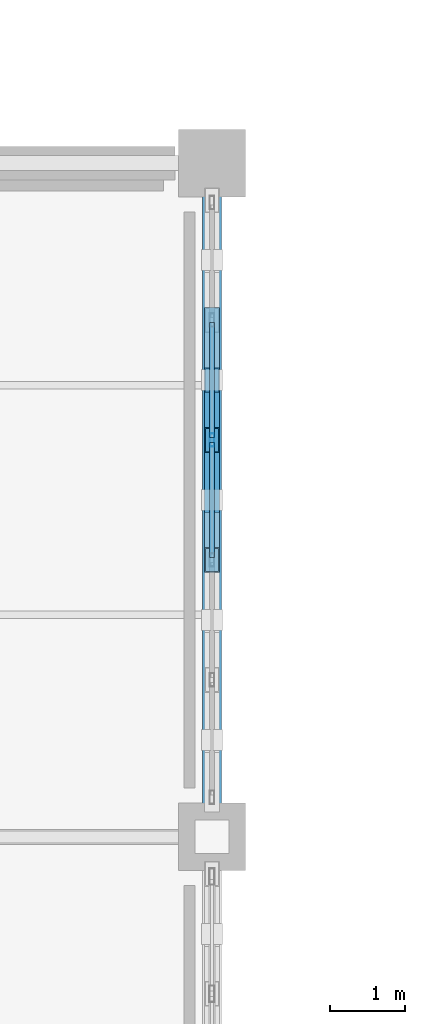
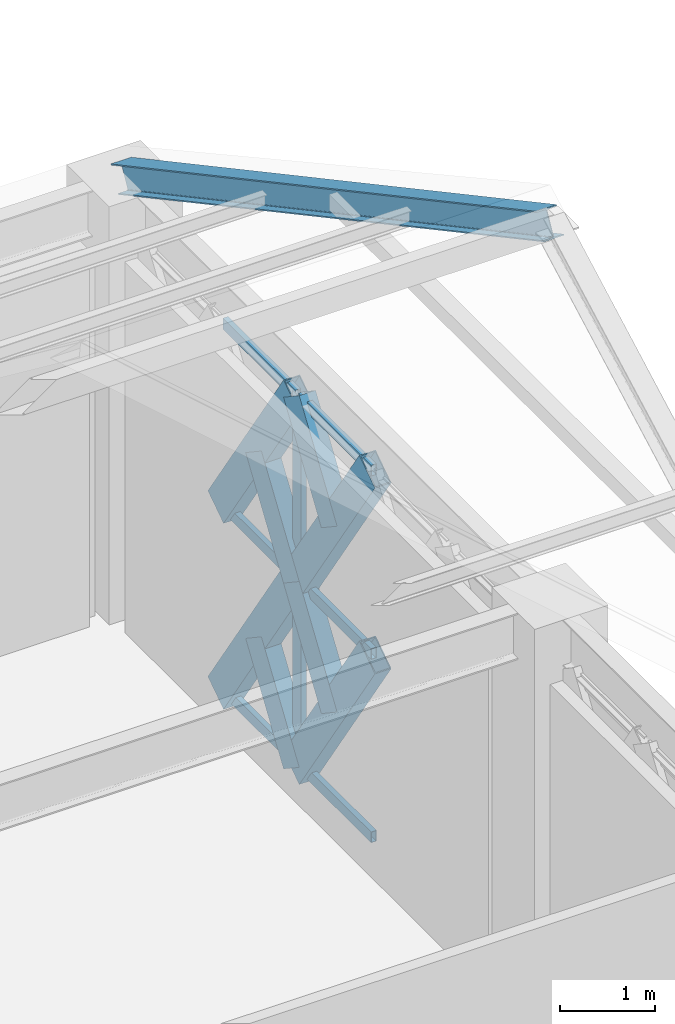
# One storey, part 67 of 166: 16 members, 1 element without a shape of its own.
"""IFC4 building model written with IfcOpenShell, lengths in metres."""

from ifc_helpers import new_model, si_unit, direction, frame, origin, origin_2d, place, context, subcontext, project, spatial, hollow_rectangle, i_section, extrude, material, material_profile, profile_set, type_object, element, aggregate, save


model = new_model("IFC4")

# Units and contexts
model_context = context("Model", 3, precision=1e-05, world=origin(), true_north=direction((0.0, 1.0)))
body_context = subcontext(model_context, "Body", "Model", "MODEL_VIEW")
ifc_project = project(units=[si_unit("LENGTHUNIT", "METRE"), si_unit("AREAUNIT", "SQUARE_METRE"), si_unit("VOLUMEUNIT", "CUBIC_METRE"), si_unit("PLANEANGLEUNIT", "RADIAN"), si_unit("MASSUNIT", "GRAM", prefix="KILO")], contexts=[model_context])

# Site, building, storey
site_placement = place(None, origin())
site = spatial("IfcSite", under=ifc_project, at=site_placement, CompositionType="ELEMENT")
building_placement = place(site_placement, origin())
building = spatial("IfcBuilding", under=site, at=building_placement, Name="Haizhuo Lancet Aquarium", CompositionType="ELEMENT")
storey_placement = place(building_placement, frame((0.0, 0.0, 5.39990234375)))
storey = spatial("IfcBuildingStorey", under=building, at=storey_placement, Name="L01", CompositionType="ELEMENT", Elevation=5.39990234375)

# Curtain wall, members
ifc_material_1 = material(Name="Aluminium 6063-T6", Category="aluminium")
curtain_wall_type = type_object("IfcCurtainWallType", Name="CWD-8010x4800", PredefinedType="NOTDEFINED", material=ifc_material_1)
curtain_wall_placement = place(storey_placement, origin())
curtain_wall = element("IfcCurtainWall", 1, at=curtain_wall_placement, inside=storey, type_object=curtain_wall_type, Name="L01 curtain wall CW-V2-L01-025", PredefinedType="NOTDEFINED")
ifc_material_profile_1 = material_profile(ifc_material_1, hollow_rectangle(XDim=0.06494140625, YDim=0.179931640625, WallThickness=0.00390625, at=origin_2d()), Name="ALU-M 65x180x4")
ifc_profile_set_1 = profile_set([ifc_material_profile_1], Name="Aluminium 6063-T6")
member_type_1 = type_object("IfcMemberType", Name="CW-MUL-1", PredefinedType="MULLION", material=ifc_profile_set_1)
member_1_placement = place(storey_placement, frame((-36.0, 23.301025390625, 0.0), z_axis=(0.0, 0.0, 1.0), x_axis=(1.0, 0.0, 0.0)))
member_1 = element("IfcMember", 2, at=member_1_placement, type_object=member_type_1, Name="CWD-80x48 mullion 3", PredefinedType="MULLION", context=body_context, shape_type="SweptSolid", body=[
    extrude(hollow_rectangle(XDim=0.06494140625, YDim=0.179931640625, WallThickness=0.00390625, at=origin_2d()), origin(), (0.0, 0.0, 1.0), 4.800048828125),
])
ifc_material_profile_2 = material_profile(ifc_material_1, hollow_rectangle(XDim=0.06494140625, YDim=0.139892578125, WallThickness=0.00390625, at=origin_2d()), Name="ALU-T 65x140x4")
ifc_profile_set_2 = profile_set([ifc_material_profile_2], Name="Aluminium 6063-T6")
member_type_2 = type_object("IfcMemberType", Name="CW-TRN-1", PredefinedType="NOTDEFINED", material=ifc_profile_set_2)
member_2_placement = place(storey_placement, frame((-36.0, 24.8701171875, 0.033203125), z_axis=(0.0, -1.0, 0.0), x_axis=(1.0, 0.0, 0.0)))
member_2 = element("IfcMember", 3, at=member_2_placement, type_object=member_type_2, Name="CWD-80x48 transom 2.1", ObjectType="TRANSOM", PredefinedType="USERDEFINED", context=body_context, shape_type="SweptSolid", body=[
    extrude(hollow_rectangle(XDim=0.06494140625, YDim=0.139892578125, WallThickness=0.00390625, at=origin_2d()), origin(), (0.0, 0.0, 1.0), 1.5361328125),
])
member_3_placement = place(storey_placement, frame((-36.0, 24.8701171875, 2.400146484375), z_axis=(0.0, -1.0, 0.0), x_axis=(1.0, 0.0, 0.0)))
member_3 = element("IfcMember", 4, at=member_3_placement, type_object=member_type_2, Name="CWD-80x48 transom 2.2", ObjectType="TRANSOM", PredefinedType="USERDEFINED", context=body_context, shape_type="SweptSolid", body=[
    extrude(hollow_rectangle(XDim=0.06494140625, YDim=0.139892578125, WallThickness=0.00390625, at=origin_2d()), origin(), (0.0, 0.0, 1.0), 1.5361328125),
])
member_4_placement = place(storey_placement, frame((-36.0, 24.8701171875, 4.76708984375), z_axis=(0.0, -1.0, 0.0), x_axis=(1.0, 0.0, 0.0)))
member_4 = element("IfcMember", 5, at=member_4_placement, type_object=member_type_2, Name="CWD-80x48 transom 2.3", ObjectType="TRANSOM", PredefinedType="USERDEFINED", context=body_context, shape_type="SweptSolid", body=[
    extrude(hollow_rectangle(XDim=0.06494140625, YDim=0.139892578125, WallThickness=0.00390625, at=origin_2d()), origin(), (0.0, 0.0, 1.0), 1.5361328125),
])
member_5_placement = place(storey_placement, frame((-36.0, 23.26806640625, 0.033203125), z_axis=(0.0, -1.0, 0.0), x_axis=(1.0, 0.0, 0.0)))
member_5 = element("IfcMember", 6, at=member_5_placement, type_object=member_type_2, Name="CWD-80x48 transom 3.1", ObjectType="TRANSOM", PredefinedType="USERDEFINED", context=body_context, shape_type="SweptSolid", body=[
    extrude(hollow_rectangle(XDim=0.06494140625, YDim=0.139892578125, WallThickness=0.00390625, at=origin_2d()), origin(), (0.0, 0.0, 1.0), 1.5361328125),
])
member_6_placement = place(storey_placement, frame((-36.0, 23.26806640625, 2.400146484375), z_axis=(0.0, -1.0, 0.0), x_axis=(1.0, 0.0, 0.0)))
member_6 = element("IfcMember", 7, at=member_6_placement, type_object=member_type_2, Name="CWD-80x48 transom 3.2", ObjectType="TRANSOM", PredefinedType="USERDEFINED", context=body_context, shape_type="SweptSolid", body=[
    extrude(hollow_rectangle(XDim=0.06494140625, YDim=0.139892578125, WallThickness=0.00390625, at=origin_2d()), origin(), (0.0, 0.0, 1.0), 1.5361328125),
])
member_7_placement = place(storey_placement, frame((-36.0, 23.26806640625, 4.76708984375), z_axis=(0.0, -1.0, 0.0), x_axis=(1.0, 0.0, 0.0)))
member_7 = element("IfcMember", 8, at=member_7_placement, type_object=member_type_2, Name="CWD-80x48 transom 3.3", ObjectType="TRANSOM", PredefinedType="USERDEFINED", context=body_context, shape_type="SweptSolid", body=[
    extrude(hollow_rectangle(XDim=0.06494140625, YDim=0.139892578125, WallThickness=0.00390625, at=origin_2d()), origin(), (0.0, 0.0, 1.0), 1.5361328125),
])
aggregate(curtain_wall, [member_1, member_2, member_3, member_4, member_5, member_6, member_7])

# Members
ifc_material_2 = material(Name="Steel S355", Category="steel")
ifc_material_profile_3 = material_profile(ifc_material_2, hollow_rectangle(XDim=0.199951171875, YDim=0.39990234375, WallThickness=0.011962890625, at=origin_2d()), Name="RHS 200x400x12")
ifc_profile_set_3 = profile_set([ifc_material_profile_3], Name="Steel S355")
member_type_3 = type_object("IfcMemberType", Name="MEM-LB-RHS200x400", PredefinedType="BRACE", material=ifc_profile_set_3)
member_8_placement = place(storey_placement, frame((-36.0, 24.903076171875, 0.0), z_axis=(0.0, -0.555168681931, 0.831737779954), x_axis=(1.0, 0.0, 0.0)))
element("IfcMember", 9, at=member_8_placement, inside=storey, type_object=member_type_3, Name="Gothic lancet continuous diagonal brace CW-V2-L01-025 3A", PredefinedType="BRACE", context=body_context, shape_type="SweptSolid", body=[
    extrude(hollow_rectangle(XDim=0.199951171875, YDim=0.39990234375, WallThickness=0.011962890625, at=origin_2d()), origin(), (0.0, 0.0, 1.0), 2.8857421875),
])
member_9_placement = place(storey_placement, frame((-36.0, 23.301025390625, 0.0), z_axis=(0.0, 0.555129617962, 0.831763853063), x_axis=(-1.0, 0.0, 0.0)))
element("IfcMember", 10, at=member_9_placement, inside=storey, type_object=member_type_3, Name="Gothic lancet split diagonal brace CW-V2-L01-025 3B1", PredefinedType="BRACE", context=body_context, shape_type="SweptSolid", body=[
    extrude(hollow_rectangle(XDim=0.199951171875, YDim=0.39990234375, WallThickness=0.011962890625, at=origin_2d()), origin(), (0.0, 0.0, 1.0), 1.44287109375),
])
member_10_placement = place(storey_placement, frame((-36.0, 24.903076171875, 2.400146484375), z_axis=(0.0, -0.555207750173, 0.831711701341), x_axis=(1.0, 0.0, 0.0)))
element("IfcMember", 11, at=member_10_placement, inside=storey, type_object=member_type_3, Name="Gothic lancet continuous diagonal brace CW-V2-L01-025 4A", PredefinedType="BRACE", context=body_context, shape_type="SweptSolid", body=[
    extrude(hollow_rectangle(XDim=0.199951171875, YDim=0.39990234375, WallThickness=0.011962890625, at=origin_2d()), origin(), (0.0, 0.0, 1.0), 2.885498046875),
])
member_11_placement = place(storey_placement, frame((-36.0, 23.301025390625, 2.400146484375), z_axis=(0.0, 0.555207750173, 0.831711701341), x_axis=(-1.0, 0.0, 0.0)))
element("IfcMember", 12, at=member_11_placement, inside=storey, type_object=member_type_3, Name="Gothic lancet split diagonal brace CW-V2-L01-025 4B1", PredefinedType="BRACE", context=body_context, shape_type="SweptSolid", body=[
    extrude(hollow_rectangle(XDim=0.199951171875, YDim=0.39990234375, WallThickness=0.011962890625, at=origin_2d()), origin(), (0.0, 0.0, 1.0), 1.442626953125),
])
member_12_placement = place(storey_placement, frame((-36.0, 23.301025390625, 0.0), z_axis=(0.0, -0.555168681931, 0.831737779954), x_axis=(1.0, 0.0, 0.0)))
element("IfcMember", 13, at=member_12_placement, inside=storey, type_object=member_type_3, Name="Gothic lancet continuous diagonal brace CW-V2-L01-025 5A", PredefinedType="BRACE", context=body_context, shape_type="SweptSolid", body=[
    extrude(hollow_rectangle(XDim=0.199951171875, YDim=0.39990234375, WallThickness=0.011962890625, at=origin_2d()), origin(), (0.0, 0.0, 1.0), 2.8857421875),
])
member_13_placement = place(storey_placement, frame((-36.0, 22.5, 1.2001953125), z_axis=(0.0, 0.555207750173, 0.831711701341), x_axis=(-1.0, 0.0, 0.0)))
element("IfcMember", 14, at=member_13_placement, inside=storey, type_object=member_type_3, Name="Gothic lancet split diagonal brace CW-V2-L01-025 5B2", PredefinedType="BRACE", context=body_context, shape_type="SweptSolid", body=[
    extrude(hollow_rectangle(XDim=0.199951171875, YDim=0.39990234375, WallThickness=0.011962890625, at=origin_2d()), origin(), (0.0, 0.0, 1.0), 1.442626953125),
])
member_14_placement = place(storey_placement, frame((-36.0, 23.301025390625, 2.400146484375), z_axis=(0.0, -0.555207750173, 0.831711701341), x_axis=(1.0, 0.0, 0.0)))
element("IfcMember", 15, at=member_14_placement, inside=storey, type_object=member_type_3, Name="Gothic lancet continuous diagonal brace CW-V2-L01-025 6A", PredefinedType="BRACE", context=body_context, shape_type="SweptSolid", body=[
    extrude(hollow_rectangle(XDim=0.199951171875, YDim=0.39990234375, WallThickness=0.011962890625, at=origin_2d()), origin(), (0.0, 0.0, 1.0), 2.885498046875),
])
member_15_placement = place(storey_placement, frame((-36.0, 22.5, 3.60009765625), z_axis=(0.0, 0.555207750173, 0.831711701341), x_axis=(-1.0, 0.0, 0.0)))
element("IfcMember", 16, at=member_15_placement, inside=storey, type_object=member_type_3, Name="Gothic lancet split diagonal brace CW-V2-L01-025 6B2", PredefinedType="BRACE", context=body_context, shape_type="SweptSolid", body=[
    extrude(hollow_rectangle(XDim=0.199951171875, YDim=0.39990234375, WallThickness=0.011962890625, at=origin_2d()), origin(), (0.0, 0.0, 1.0), 1.442626953125),
])
ifc_material_profile_4 = material_profile(ifc_material_2, i_section(OverallWidth=0.25, OverallDepth=0.340087890625, WebThickness=0.009033203125, FlangeThickness=0.013916015625, FilletRadius=0.01806640625, at=origin_2d()), Name="HM 340x250x9x14")
ifc_profile_set_4 = profile_set([ifc_material_profile_4], Name="Steel S355")
member_type_4 = type_object("IfcMemberType", Name="MEM-RF-HM340", PredefinedType="RAFTER", material=ifc_profile_set_4)
member_16_placement = place(storey_placement, frame((-36.0, 27.0, 5.3701171875), z_axis=(0.0, -0.880479536064, 0.474084155581), x_axis=(1.0, 0.0, 0.0)))
element("IfcMember", 17, at=member_16_placement, inside=storey, type_object=member_type_4, Name="V2 Gothic pitched roof north rafter 5", PredefinedType="RAFTER", context=body_context, shape_type="SweptSolid", body=[
    extrude(i_section(OverallWidth=0.25, OverallDepth=0.340087890625, WebThickness=0.009033203125, FlangeThickness=0.013916015625, FilletRadius=0.01806640625, at=origin_2d()), origin(), (0.0, 0.0, 1.0), 10.2216796875),
])

save(model, "model.ifc")
